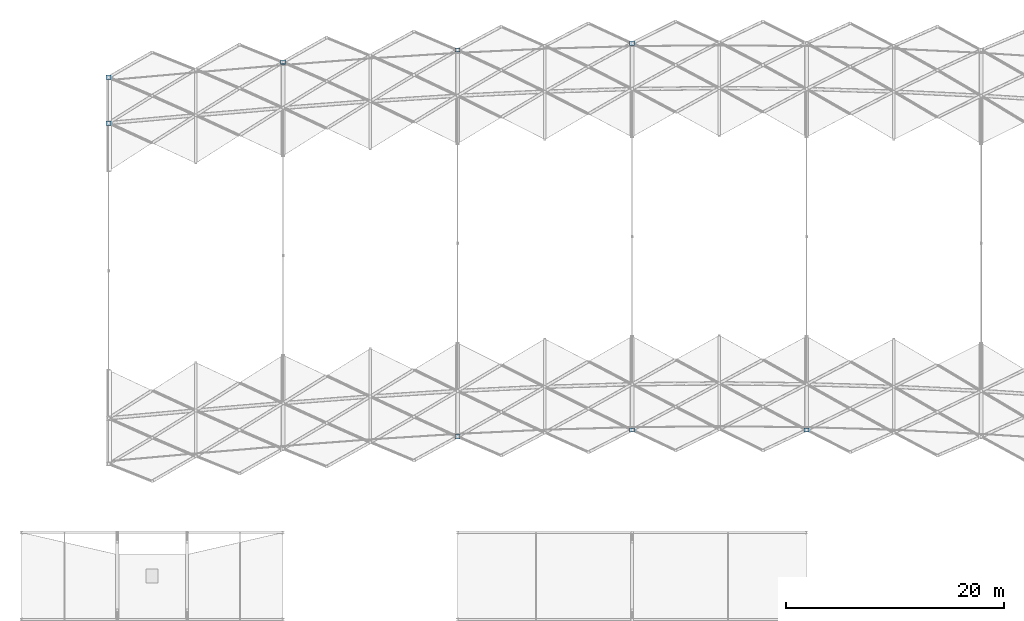
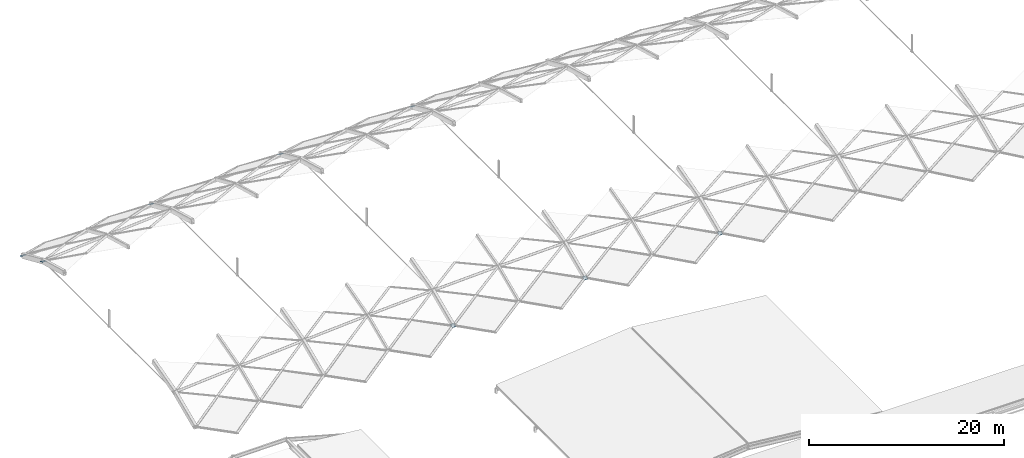
# One storey, part 36 of 54: 8 plates.
"""IFC4 building model written with IfcOpenShell, lengths in metres."""

import ifcopenshell
import ifcopenshell.guid

model = None  # the IFC model being written
_history = None  # IfcOwnerHistory: only IFC2X3 demands one
_inside = {}  # id of a spatial element -> (the spatial element, [elements in it])
_under = {}  # id of a project, library or spatial element -> (it, [spatial elements below it])
_declared = {}  # id of a project -> (the project, [libraries it declares])
_typed = {}  # id of a type object -> (the type object, [elements of that type])
_made_of = {}  # id of a material, layer set ... -> (it, [elements and type objects made of it])


def new_model(schema):
    """Start an empty IFC model of exactly this schema.

    Asked for "IFC4X3", IfcOpenShell would pick the latest addendum, in which some entities
    have other attributes; the version numbers below select the first issue.
    IFC2X3 requires an IfcOwnerHistory on every rooted entity: one is made here for all.
    """
    global model, _history
    if schema == "IFC4X3":
        model = ifcopenshell.file(schema_version=(4, 3, 0, 0))
    else:
        model = ifcopenshell.file(schema=schema)
    _inside.clear()
    _under.clear()
    _declared.clear()
    _typed.clear()
    _made_of.clear()
    _history = None
    if model.schema == "IFC2X3":
        org = make("IfcOrganization", Name="unknown")
        user = make(
            "IfcPersonAndOrganization",
            ThePerson=make("IfcPerson", FamilyName="unknown"),
            TheOrganization=org,
        )
        app = make(
            "IfcApplication",
            ApplicationDeveloper=org,
            Version="unknown",
            ApplicationFullName="unknown",
            ApplicationIdentifier="unknown",
        )
        _history = make(
            "IfcOwnerHistory",
            OwningUser=user,
            OwningApplication=app,
            ChangeAction="ADDED",
            CreationDate=0,
        )
    return model


def make(cls, **values):
    """One entity of the class cls with the attributes given. An attribute that is None is left unset."""
    return model.create_entity(
        cls, **{name: value for name, value in values.items() if value is not None}
    )


def rooted(cls, **values):
    """An entity with a GlobalId (a new one), such as an element, a storey or a relation."""
    return make(cls, GlobalId=ifcopenshell.guid.new(), OwnerHistory=_history, **values)


def si_unit(unit_type, name, prefix=None):
    """IfcSIUnit, for example si_unit("LENGTHUNIT", "METRE", prefix="MILLI")."""
    return make("IfcSIUnit", UnitType=unit_type, Prefix=prefix, Name=name)


def assignment(units):
    """IfcUnitAssignment: the units of a project."""
    return None if units is None else make("IfcUnitAssignment", Units=units)


def point(xyz):
    """IfcCartesianPoint."""
    return None if xyz is None else make("IfcCartesianPoint", Coordinates=xyz)


def direction(xyz):
    """IfcDirection."""
    return None if xyz is None else make("IfcDirection", DirectionRatios=xyz)


def frame(location, z_axis=None, x_axis=None):
    """IfcAxis2Placement3D, a coordinate frame: its origin and axes. An axis left out is left unset."""
    return make(
        "IfcAxis2Placement3D",
        Location=point(location),
        Axis=direction(z_axis),
        RefDirection=direction(x_axis),
    )


def origin():
    """The frame at (0, 0, 0) with its axes left unset."""
    return frame((0.0, 0.0, 0.0))


def place(relative_to, where):
    """IfcLocalPlacement: puts the frame where relative to a parent placement (None: the world)."""
    return make(
        "IfcLocalPlacement", PlacementRelTo=relative_to, RelativePlacement=where
    )


def context(
    kind, dimensions, precision=None, world=None, true_north=None, identifier=None
):
    """IfcGeometricRepresentationContext, for example the 3D "Model" context."""
    return make(
        "IfcGeometricRepresentationContext",
        ContextIdentifier=identifier,
        ContextType=kind,
        CoordinateSpaceDimension=dimensions,
        Precision=precision,
        WorldCoordinateSystem=world,
        TrueNorth=true_north,
    )


def subcontext(parent, identifier, kind, view, scale=None):
    """IfcGeometricRepresentationSubContext, for example "Body" below "Model"."""
    return make(
        "IfcGeometricRepresentationSubContext",
        ContextIdentifier=identifier,
        ContextType=kind,
        ParentContext=parent,
        TargetScale=scale,
        TargetView=view,
    )


def project(units=None, contexts=None):
    """IfcProject with its units and contexts."""
    return rooted(
        "IfcProject",
        Name="project",
        RepresentationContexts=contexts,
        UnitsInContext=assignment(units),
    )


def spatial(cls, under=None, at=None, **own):
    """A site, building, storey or space (cls), placed at a placement, below another one or the project."""
    s = rooted(cls, ObjectPlacement=at, **own)
    if under is not None:
        _under.setdefault(under.id(), (under, []))[1].append(s)
    return s


def polyline(points):
    """IfcPolyline through the points."""
    return make("IfcPolyline", Points=[point(p) for p in points])


def outline(outer, holes=None, kind="AREA"):
    """IfcArbitraryClosedProfileDef: a profile drawn as a closed curve; with holes, ...WithVoids."""
    if holes is None:
        return make("IfcArbitraryClosedProfileDef", ProfileType=kind, OuterCurve=outer)
    return make(
        "IfcArbitraryProfileDefWithVoids",
        ProfileType=kind,
        OuterCurve=outer,
        InnerCurves=holes,
    )


def extrude(swept, where, along, depth):
    """IfcExtrudedAreaSolid: the profile swept, set in the frame where, extruded along a direction by depth."""
    return make(
        "IfcExtrudedAreaSolid",
        SweptArea=swept,
        Position=where,
        ExtrudedDirection=direction(along),
        Depth=depth,
    )


def shape(context_of_items, identifier, shape_type, items):
    """IfcShapeRepresentation: the items that make up one representation, for example the "Body"."""
    return make(
        "IfcShapeRepresentation",
        ContextOfItems=context_of_items,
        RepresentationIdentifier=identifier,
        RepresentationType=shape_type,
        Items=items,
    )


def material(Name=None, Category=None):
    """IfcMaterial."""
    return make("IfcMaterial", Name=Name, Category=Category)


def layer(
    of_material, thickness, ventilated=None, Name=None, Category=None, Priority=None
):
    """IfcMaterialLayer: one layer of a wall or slab, of a material (None: an air gap)."""
    return make(
        "IfcMaterialLayer",
        Material=of_material,
        LayerThickness=thickness,
        IsVentilated=ventilated,
        Name=Name,
        Category=Category,
        Priority=Priority,
    )


def layer_set(layers, Name=None):
    """IfcMaterialLayerSet."""
    return make("IfcMaterialLayerSet", MaterialLayers=layers, LayerSetName=Name)


def made_of(thing, what):
    """Note that an element or type object is made of a material, layer set ...; save() writes the relation."""
    if what is not None:
        _made_of.setdefault(what.id(), (what, []))[1].append(thing)
    return thing


def type_object(cls, material=None, **own):
    """A type object (cls), such as IfcWallType, which elements share."""
    return made_of(rooted(cls, **own), material)


def element(
    cls,
    number,
    at=None,
    inside=None,
    cuts=None,
    type_object=None,
    material=None,
    context=None,
    identifier="Body",
    shape_type=None,
    held_by="IfcProductDefinitionShape",
    body=None,
    shapes=None,
    **own,
):
    """One element of the class cls, such as IfcWall. Its Tag is "e" and its number.

    at: its placement. inside: the storey or other place that contains it. cuts: it is an
    opening in that element (IfcRelVoidsElement). A single representation is given by context,
    identifier, shape_type and body (its items); several are given by shapes. held_by: the class
    of the entity that holds the representations. save() writes the other relations.
    """
    e = rooted(cls, Tag="e%d" % number, ObjectPlacement=at, **own)
    if body is not None:
        shapes = [shape(context, identifier, shape_type, body)]
    if shapes is not None:
        e.Representation = make(held_by, Representations=shapes)
    if inside is not None:
        _inside.setdefault(inside.id(), (inside, []))[1].append(e)
    if cuts is not None:
        rooted(
            "IfcRelVoidsElement", RelatingBuildingElement=cuts, RelatedOpeningElement=e
        )
    if type_object is not None:
        _typed.setdefault(type_object.id(), (type_object, []))[1].append(e)
    return made_of(e, material)


def aggregate(whole, parts):
    """IfcRelAggregates: a whole, such as a stair, and the parts it consists of."""
    return rooted("IfcRelAggregates", RelatingObject=whole, RelatedObjects=parts)


def save(model, path):
    """Write the relations noted so far, then the file.

    IfcRelAggregates (storeys below a building ...), IfcRelContainedInSpatialStructure (elements
    in a storey), IfcRelDefinesByType, IfcRelAssociatesMaterial and IfcRelDeclares: one each for
    every whole, place, type object, material and project.
    """
    for whole, parts in _under.values():
        aggregate(whole, parts)
    for where, things in _inside.values():
        rooted(
            "IfcRelContainedInSpatialStructure",
            RelatedElements=things,
            RelatingStructure=where,
        )
    for kind, things in _typed.values():
        rooted("IfcRelDefinesByType", RelatedObjects=things, RelatingType=kind)
    for what, things in _made_of.values():
        rooted("IfcRelAssociatesMaterial", RelatedObjects=things, RelatingMaterial=what)
    for by, libraries in _declared.values():
        rooted("IfcRelDeclares", RelatingContext=by, RelatedDefinitions=libraries)
    model.write(path)


model = new_model("IFC4")

# Units and contexts
model_context = context("Model", 3, precision=1e-05, world=origin(), true_north=direction((0.0, 1.0)))
body_context = subcontext(model_context, "Body", "Model", "MODEL_VIEW")
ifc_project = project(units=[si_unit("LENGTHUNIT", "METRE"), si_unit("AREAUNIT", "SQUARE_METRE"), si_unit("VOLUMEUNIT", "CUBIC_METRE"), si_unit("PLANEANGLEUNIT", "RADIAN"), si_unit("MASSUNIT", "GRAM", prefix="KILO")], contexts=[model_context])

# Site, building, storey
site_placement = place(None, origin())
site = spatial("IfcSite", under=ifc_project, at=site_placement, CompositionType="ELEMENT")
building_placement = place(site_placement, origin())
building = spatial("IfcBuilding", under=site, at=building_placement, Name="Kenh Van Central Station", CompositionType="ELEMENT")
storey_placement = place(building_placement, frame((0.0, 0.0, 15.0)))
storey = spatial("IfcBuildingStorey", under=building, at=storey_placement, Name="L03", CompositionType="ELEMENT", Elevation=15.0)

# Plates
ifc_material = material(Name="White fluoropolymer structural steel S355", Category="steel")
ifc_layer = layer(ifc_material, 0.02490234375, Name="White fluoropolymer structural steel S355")
ifc_layer_set = layer_set([ifc_layer], Name="White fluoropolymer structural steel S355")
plate_type = type_object("IfcPlateType", Name="PLT-GUSSET-NP25", PredefinedType="USERDEFINED", material=ifc_layer_set)
plate_placement = place(storey_placement, frame((31.780029296875, 101.326416015625, 4.1416015625), z_axis=(0.0, 0.329015531379, 0.94432450996), x_axis=(1.0, 0.0, 0.0)))
element("IfcPlate", 1, at=plate_placement, inside=storey, type_object=plate_type, Name="Vault node gusset plate NP-25 009", ObjectType="GUSSET_PLATE", PredefinedType="USERDEFINED", context=body_context, shape_type="SweptSolid", body=[
    extrude(outline(polyline([(0.0, 0.0), (0.43994140625, 0.0), (0.43994140625, 0.4400260073388299), (0.0, 0.4400260073388299), (0.0, 0.0)])), origin(), (0.0, 0.0, -1.0), 0.02490234375),
])
for number, where, z_axis, x_axis, name in (
    (2, (31.780029296875, 105.5380859375, 2.335205078125), (0.0, 0.484983194007, 0.874523471115), (1.0, 0.0, 0.0), "Vault node gusset plate NP-25 010"),
    (3, (47.780029296875, 106.926513671875, 2.335205078125), (0.0, 0.484983194007, 0.874523471115), (1.0, 0.0, 0.0), "Vault node gusset plate NP-25 016"),
    (4, (63.780029296875, 72.578857421875, 2.121826171875), (0.0, -0.484983194007, 0.874523471115), (1.0, 0.0, 0.0), "Vault node gusset plate NP-25 017"),
    (5, (63.780029296875, 108.0400390625, 2.335205078125), (0.0, 0.484983194007, 0.874523471115), (1.0, 0.0, 0.0), "Vault node gusset plate NP-25 021"),
    (6, (79.780029296875, 73.19677734375, 2.121826171875), (0.0, -0.484983194007, 0.874523471115), (1.0, 0.0, 0.0), "Vault node gusset plate NP-25 022"),
    (7, (79.780029296875, 108.657958984375, 2.335205078125), (0.0, 0.484983194007, 0.874523471115), (1.0, 0.0, 0.0), "Vault node gusset plate NP-25 026"),
    (8, (95.780029296875, 73.19677734375, 2.121826171875), (0.0, -0.484983194007, 0.874523471115), (1.0, 0.0, 0.0), "Vault node gusset plate NP-25 027"),
):
    element("IfcPlate", number, at=place(storey_placement, frame(where, z_axis=z_axis, x_axis=x_axis)), inside=storey, type_object=plate_type, Name=name, ObjectType="GUSSET_PLATE", PredefinedType="USERDEFINED", context=body_context, shape_type="SweptSolid", body=[
        extrude(outline(polyline([(0.0, 0.0), (0.43994140625, 0.0), (0.43994140625, 0.4399717534275206), (0.0, 0.4399717534275206), (0.0, 0.0)])), origin(), (0.0, 0.0, -1.0), 0.02490234375),
    ])

save(model, "model.ifc")
